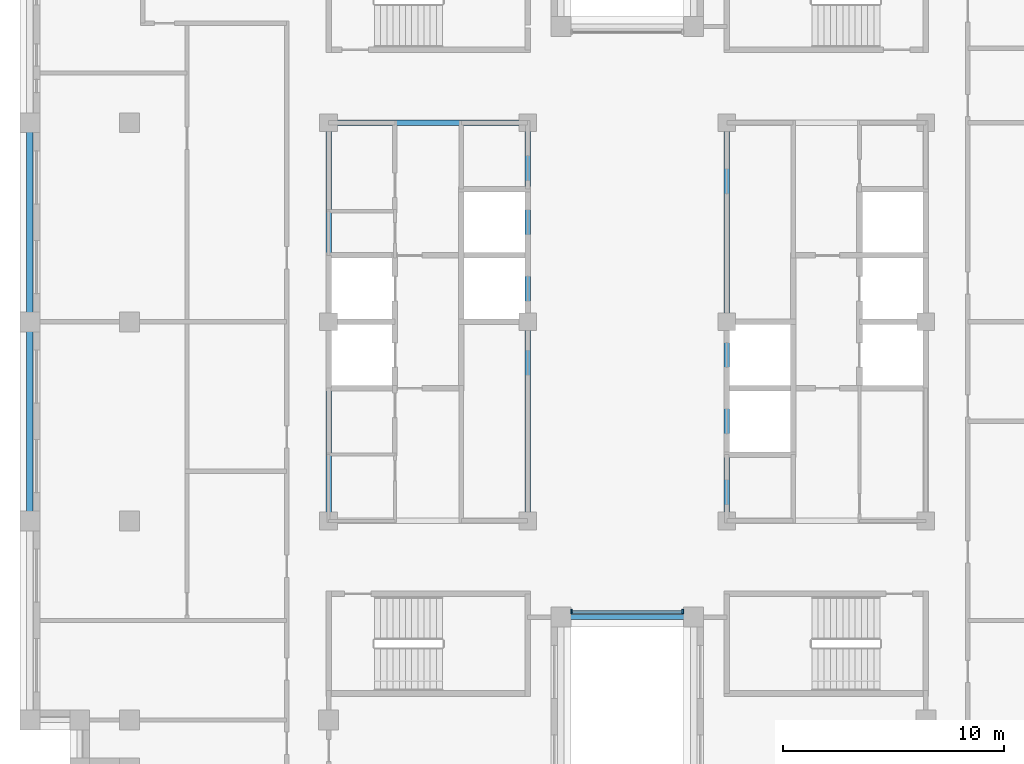
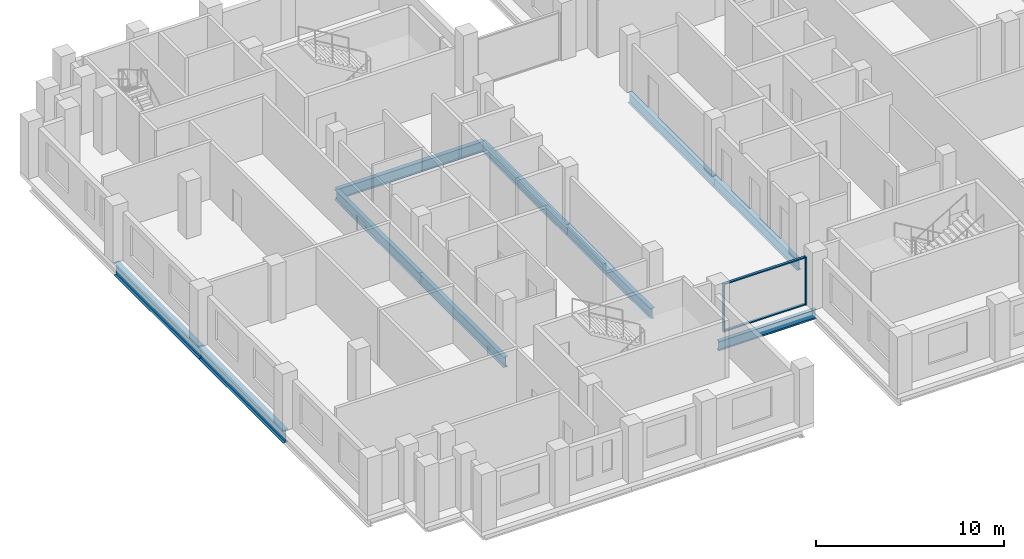
# One storey, part 2 of 13: 10 beams, 4 members, 1 element without a shape of its own.
"""IFC4 building model written with IfcOpenShell, lengths in metres."""

from ifc_helpers import new_model, si_unit, direction, frame, origin, origin_2d, place, context, subcontext, project, spatial, rectangle, i_section, extrude, material, layer, layer_set, material_profile, profile_set, type_object, element, aggregate, save


model = new_model("IFC4")

# Units and contexts
model_context = context("Model", 3, precision=1e-05, world=origin(), true_north=direction((0.0, 1.0)))
body_context = subcontext(model_context, "Body", "Model", "MODEL_VIEW")
ifc_project = project(units=[si_unit("LENGTHUNIT", "METRE"), si_unit("AREAUNIT", "SQUARE_METRE"), si_unit("VOLUMEUNIT", "CUBIC_METRE"), si_unit("PLANEANGLEUNIT", "RADIAN"), si_unit("MASSUNIT", "GRAM", prefix="KILO")], contexts=[model_context])

# Site, building, storey
site_placement = place(None, origin())
site = spatial("IfcSite", under=ifc_project, at=site_placement, CompositionType="ELEMENT")
building_placement = place(site_placement, origin())
building = spatial("IfcBuilding", under=site, at=building_placement, Name="Corbelhall Arena Tower", CompositionType="ELEMENT")
storey_placement = place(building_placement, frame((0.0, 0.0, 254.0)))
storey = spatial("IfcBuildingStorey", under=building, at=storey_placement, Name="L54", CompositionType="ELEMENT", Elevation=254.0)

# Curtain wall, members
ifc_material_1 = material(Name="Aluminium black anodised", Category="aluminium")
ifc_layer = layer(ifc_material_1, 0.199951171875)
ifc_layer_set = layer_set([ifc_layer], Name="EV-CW1 Slot back wall")
curtain_wall_type = type_object("IfcCurtainWallType", Name="EV-CW1 Slot back wall", PredefinedType="NOTDEFINED", material=ifc_layer_set)
curtain_wall_placement = place(storey_placement, origin())
curtain_wall = element("IfcCurtainWall", 1, at=curtain_wall_placement, inside=storey, type_object=curtain_wall_type, Name="Curtain wall CW1", PredefinedType="NOTDEFINED")
ifc_material_profile_1 = material_profile(ifc_material_1, rectangle(XDim=0.199951171875, YDim=0.074951171875, at=origin_2d()))
ifc_profile_set_1 = profile_set([ifc_material_profile_1], Name="Aluminium black anodised")
member_type_1 = type_object("IfcMemberType", Name="EV-CW1-MULLION", PredefinedType="MULLION", material=ifc_profile_set_1)
member_1_placement = place(storey_placement, frame((-2.512451171875, -13.10009765625, 0.0), z_axis=(0.0, 0.0, 1.0), x_axis=(0.0, 1.0, 0.0)))
member_1 = element("IfcMember", 2, at=member_1_placement, type_object=member_type_1, Name="CW1 mullion 1", PredefinedType="MULLION", context=body_context, shape_type="SweptSolid", body=[
    extrude(rectangle(XDim=0.199951171875, YDim=0.074951171875, at=origin_2d()), origin(), (0.0, 0.0, 1.0), 3.1201171875),
])
member_2_placement = place(storey_placement, frame((2.512451171875, -13.10009765625, 0.0), z_axis=(0.0, 0.0, 1.0), x_axis=(0.0, 1.0, 0.0)))
member_2 = element("IfcMember", 3, at=member_2_placement, type_object=member_type_1, Name="CW1 mullion 2", PredefinedType="MULLION", context=body_context, shape_type="SweptSolid", body=[
    extrude(rectangle(XDim=0.199951171875, YDim=0.074951171875, at=origin_2d()), origin(), (0.0, 0.0, 1.0), 3.1201171875),
])
ifc_material_profile_2 = material_profile(ifc_material_1, rectangle(XDim=0.14990234375, YDim=0.074951171875, at=origin_2d()))
ifc_profile_set_2 = profile_set([ifc_material_profile_2], Name="Aluminium black anodised")
member_type_2 = type_object("IfcMemberType", Name="EV-CW1-TRANSOM", PredefinedType="USERDEFINED", material=ifc_profile_set_2)
member_3_placement = place(storey_placement, frame((-2.47509765625, -13.10009765625, 0.03759765625), z_axis=(1.0, 0.0, 0.0), x_axis=(0.0, 1.0, 0.0)))
member_3 = element("IfcMember", 4, at=member_3_placement, type_object=member_type_2, Name="CW1 transom 1.1", ObjectType="transom", PredefinedType="USERDEFINED", context=body_context, shape_type="SweptSolid", body=[
    extrude(rectangle(XDim=0.14990234375, YDim=0.074951171875, at=origin_2d()), origin(), (0.0, 0.0, 1.0), 4.9501953125),
])
member_4_placement = place(storey_placement, frame((-2.47509765625, -13.10009765625, 3.08251953125), z_axis=(1.0, 0.0, 0.0), x_axis=(0.0, 1.0, 0.0)))
member_4 = element("IfcMember", 5, at=member_4_placement, type_object=member_type_2, Name="CW1 transom 1.2", ObjectType="transom", PredefinedType="USERDEFINED", context=body_context, shape_type="SweptSolid", body=[
    extrude(rectangle(XDim=0.14990234375, YDim=0.074951171875, at=origin_2d()), origin(), (0.0, 0.0, 1.0), 4.9501953125),
])
aggregate(curtain_wall, [member_1, member_2, member_3, member_4])

# Beams
ifc_material_2 = material(Name="Steel ASTM A992 Gr50", Category="steel")
ifc_material_profile_3 = material_profile(ifc_material_2, i_section(OverallWidth=0.25390625, OverallDepth=0.67822265625, WebThickness=0.01171875, FlangeThickness=0.016357421875, at=origin_2d()))
ifc_profile_set_3 = profile_set([ifc_material_profile_3], Name="Steel ASTM A992 Gr50")
beam_type_1 = type_object("IfcBeamType", Name="ST-BEAM-W27x84", PredefinedType="BEAM", material=ifc_profile_set_3)
for number, where, z_axis, x_axis, name in (
    (6, (-13.5, -9.0, -0.619140625), (0.0, 1.0, 0.0), (-1.0, 0.0, 0.0), "Beam CEW 1"),
    (7, (-13.5, 0.0, -0.619140625), (0.0, 1.0, 0.0), (-1.0, 0.0, 0.0), "Beam CEW 2"),
    (8, (-4.5, -9.0, -0.619140625), (0.0, 1.0, 0.0), (-1.0, 0.0, 0.0), "Beam CEW 3"),
    (9, (-4.5, 0.0, -0.619140625), (0.0, 1.0, 0.0), (-1.0, 0.0, 0.0), "Beam CEW 4"),
    (10, (-13.5, 9.0, -0.619140625), (1.0, 0.0, 0.0), (0.0, 1.0, 0.0), "Beam CEW 6"),
    (11, (4.5, -9.0, -0.619140625), (0.0, 1.0, 0.0), (-1.0, 0.0, 0.0), "Beam CEE 7"),
    (12, (4.5, 0.0, -0.619140625), (0.0, 1.0, 0.0), (-1.0, 0.0, 0.0), "Beam CEE 8"),
):
    element("IfcBeam", number, at=place(storey_placement, frame(where, z_axis=z_axis, x_axis=x_axis)), inside=storey, type_object=beam_type_1, Name=name, PredefinedType="BEAM", context=body_context, shape_type="SweptSolid", body=[
        extrude(i_section(OverallWidth=0.25390625, OverallDepth=0.67822265625, WebThickness=0.01171875, FlangeThickness=0.016357421875, at=origin_2d()), origin(), (0.0, 0.0, 1.0), 9.0),
    ])
ifc_material_profile_4 = material_profile(ifc_material_2, i_section(OverallWidth=0.227783203125, OverallDepth=0.60205078125, WebThickness=0.010498046875, FlangeThickness=0.014892578125, at=origin_2d()))
ifc_profile_set_4 = profile_set([ifc_material_profile_4], Name="Steel ASTM A992 Gr50")
beam_type_2 = type_object("IfcBeamType", Name="ST-SPANDREL-W24x68", PredefinedType="SPANDREL", material=ifc_profile_set_4)
beam_placement = place(storey_placement, frame((3.0, -13.35009765625, -0.5810546875), z_axis=(-1.0, 0.0, 0.0), x_axis=(0.0, -1.0, 0.0)))
element("IfcBeam", 13, at=beam_placement, inside=storey, type_object=beam_type_2, Name="Beam SP 33", PredefinedType="SPANDREL", context=body_context, shape_type="SweptSolid", body=[
    extrude(i_section(OverallWidth=0.227783203125, OverallDepth=0.60205078125, WebThickness=0.010498046875, FlangeThickness=0.014892578125, at=origin_2d()), origin(), (0.0, 0.0, 1.0), 6.0),
])
ifc_material_profile_5 = material_profile(ifc_material_2, i_section(OverallWidth=0.2919921875, OverallDepth=0.845703125, WebThickness=0.015380859375, FlangeThickness=0.0244140625, at=origin_2d()))
ifc_profile_set_5 = profile_set([ifc_material_profile_5], Name="Steel ASTM A992 Gr50")
beam_type_3 = type_object("IfcBeamType", Name="ST-SPANDREL-W33x141", PredefinedType="SPANDREL", material=ifc_profile_set_5)
for number, where, z_axis, x_axis, name in (
    (14, (-27.0, 0.0, -0.702880859375), (0.0, 1.0, 0.0), (-1.0, 0.0, 0.0), "Beam SP 26"),
    (15, (-27.0, -9.0, -0.702880859375), (0.0, 1.0, 0.0), (-1.0, 0.0, 0.0), "Beam SP 29"),
):
    element("IfcBeam", number, at=place(storey_placement, frame(where, z_axis=z_axis, x_axis=x_axis)), inside=storey, type_object=beam_type_3, Name=name, PredefinedType="SPANDREL", context=body_context, shape_type="SweptSolid", body=[
        extrude(i_section(OverallWidth=0.2919921875, OverallDepth=0.845703125, WebThickness=0.015380859375, FlangeThickness=0.0244140625, at=origin_2d()), origin(), (0.0, 0.0, 1.0), 9.0),
    ])

save(model, "model.ifc")
